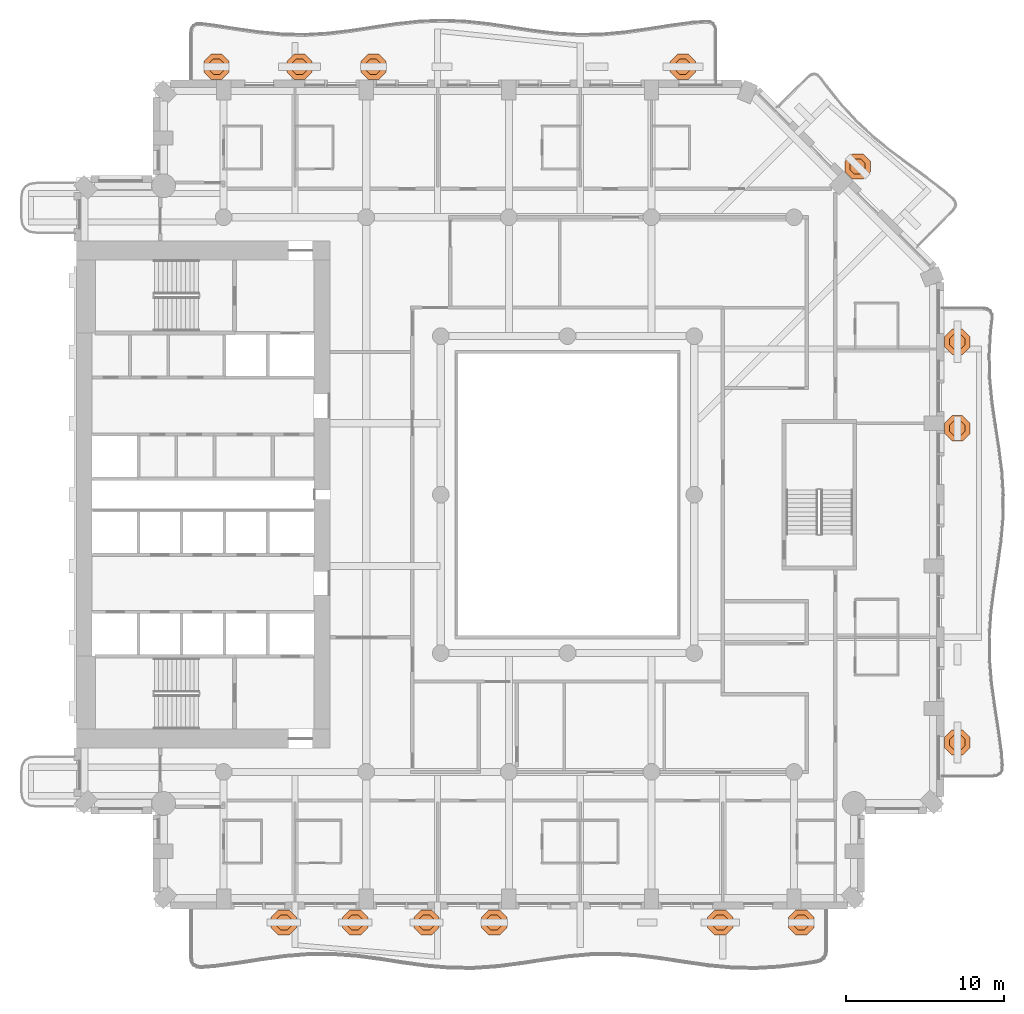
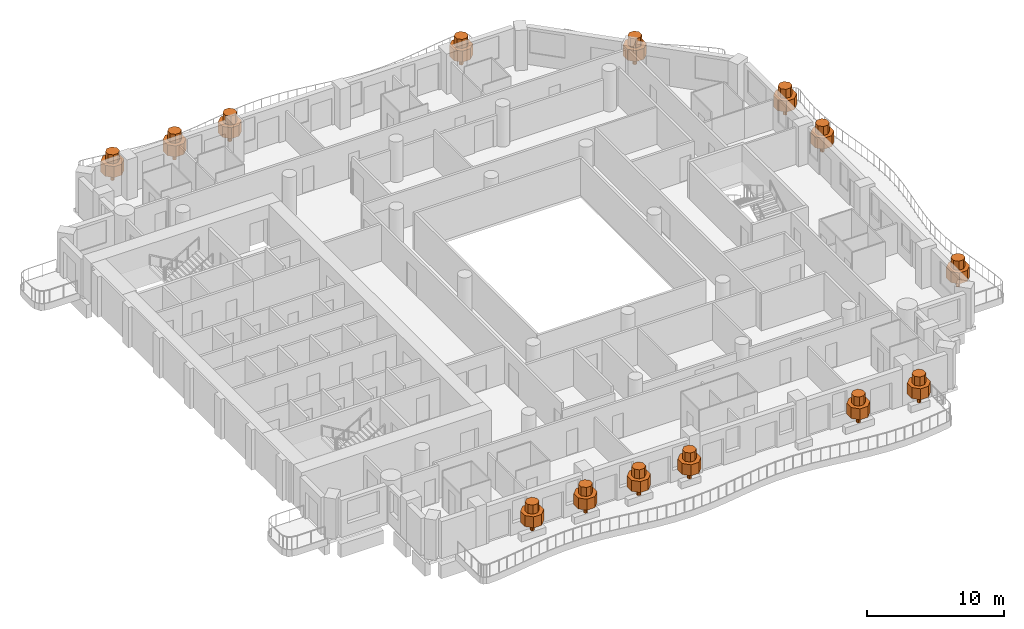
# One storey, part 20 of 20: 14 geographic elements.
"""IFC4 building model written with IfcOpenShell, lengths in metres."""

from ifc_helpers import new_model, si_unit, direction, frame, origin, place, context, subcontext, project, spatial, polyline, outline, extrude, material, type_object, element, save


model = new_model("IFC4")

# Units and contexts
model_context = context("Model", 3, precision=1e-05, world=origin(), true_north=direction((0.0, 1.0)))
body_context = subcontext(model_context, "Body", "Model", "MODEL_VIEW")
ifc_project = project(units=[si_unit("LENGTHUNIT", "METRE"), si_unit("AREAUNIT", "SQUARE_METRE"), si_unit("VOLUMEUNIT", "CUBIC_METRE"), si_unit("PLANEANGLEUNIT", "RADIAN"), si_unit("MASSUNIT", "GRAM", prefix="KILO")], contexts=[model_context])

# Site, building, storey
site_placement = place(None, origin())
site = spatial("IfcSite", under=ifc_project, at=site_placement, CompositionType="ELEMENT")
building_placement = place(site_placement, origin())
building = spatial("IfcBuilding", under=site, at=building_placement, Name="Cypress Arch Tower", CompositionType="ELEMENT")
storey_placement = place(building_placement, frame((0.0, 0.0, 120.300048828125)))
storey = spatial("IfcBuildingStorey", under=building, at=storey_placement, Name="L25", CompositionType="ELEMENT", Elevation=120.300048828125)

# Geographic elements
ifc_material = material(Name="Foliage and planting")
geographic_element_type = type_object("IfcGeographicElementType", Name="Balcony tree TR", PredefinedType="USERDEFINED", material=ifc_material)
for number, where, z_axis, x_axis, name in (
    (1, (-16.89990234375, -27.0, 0.599853515625), (0.0, 0.0, 1.0), (1.0, 0.0, 0.0), "Balcony tree L25-A03.1"),
    (2, (-12.39990234375, -27.0, 0.599853515625), (0.0, 0.0, 1.0), (1.0, 0.0, 0.0), "Balcony tree L25-A03.2"),
    (3, (-7.89990234375, -27.0, 0.599853515625), (0.0, 0.0, 1.0), (1.0, 0.0, 0.0), "Balcony tree L25-A03.3"),
    (4, (-3.625, -27.0, 0.599853515625), (0.0, 0.0, 1.0), (1.0, 0.0, 0.0), "Balcony tree L25-A03.4"),
    (5, (10.639892578125, -27.0, 0.599853515625), (0.0, 0.0, 1.0), (1.0, 0.0, 0.0), "Balcony tree L25-A03.6"),
    (6, (15.75, -27.0, 0.599853515625), (0.0, 0.0, 1.0), (1.0, 0.0, 0.0), "Balcony tree L25-A03.7"),
    (7, (25.60009765625, -15.642822265625, 0.599853515625), (0.0, 0.0, 1.0), (1.0, 0.0, 0.0), "Balcony tree L25-A06.1"),
    (8, (25.60009765625, 4.1826171875, 0.599853515625), (0.0, 0.0, 1.0), (1.0, 0.0, 0.0), "Balcony tree L25-A06.3"),
    (9, (25.60009765625, 9.642822265625, 0.599853515625), (0.0, 0.0, 1.0), (1.0, 0.0, 0.0), "Balcony tree L25-A06.4"),
    (10, (19.30712890625, 20.70703125, 0.599853515625), (0.0, 0.0, 1.0), (1.0, 0.0, 0.0), "Balcony tree L25-A07.2"),
    (11, (8.28125, 27.0, 0.599853515625), (0.0, 0.0, 1.0), (1.0, 0.0, 0.0), "Balcony tree L25-A08.1"),
    (12, (-11.24365234375, 27.0, 0.599853515625), (0.0, 0.0, 1.0), (1.0, 0.0, 0.0), "Balcony tree L25-A08.4"),
    (13, (-15.91259765625, 27.0, 0.599853515625), (0.0, 0.0, 1.0), (1.0, 0.0, 0.0), "Balcony tree L25-A08.5"),
    (14, (-21.14990234375, 27.0, 0.599853515625), (0.0, 0.0, 1.0), (1.0, 0.0, 0.0), "Balcony tree L25-A08.6"),
):
    element("IfcGeographicElement", number, at=place(storey_placement, frame(where, z_axis=z_axis, x_axis=x_axis)), inside=storey, type_object=geographic_element_type, Name=name, ObjectType="TREE", PredefinedType="USERDEFINED", context=body_context, shape_type="SweptSolid", body=[
        extrude(outline(polyline([(0.14990234375, 0.06201171875), (0.06201171875, 0.14990234375), (-0.06201171875, 0.14990234375), (-0.14990234375, 0.06201171875), (-0.14990234375, -0.06201171875), (-0.06201171875, -0.14990234375), (0.06201171875, -0.14990234375), (0.14990234375, -0.06201171875), (0.14990234375, 0.06201171875)])), origin(), (0.0, 0.0, 1.0), 0.864990234375),
        extrude(outline(polyline([(0.800048828125, 0.331298828125), (0.331298828125, 0.800048828125), (-0.331298828125, 0.800048828125), (-0.800048828125, 0.331298828125), (-0.800048828125, -0.331298828125), (-0.331298828125, -0.800048828125), (0.331298828125, -0.800048828125), (0.800048828125, -0.331298828125), (0.800048828125, 0.331298828125)])), frame((0.0, 0.0, 0.764892578125)), (0.0, 0.0, 1.0), 0.981689453125),
        extrude(outline(polyline([(0.47998046875, 0.19873046875), (0.19873046875, 0.47998046875), (-0.19873046875, 0.47998046875), (-0.47998046875, 0.19873046875), (-0.47998046875, -0.19873046875), (-0.19873046875, -0.47998046875), (0.19873046875, -0.47998046875), (0.47998046875, -0.19873046875), (0.47998046875, 0.19873046875)])), frame((0.0, 0.0, 1.746826171875)), (0.0, 0.0, 1.0), 0.80322265625),
    ])

save(model, "model.ifc")
